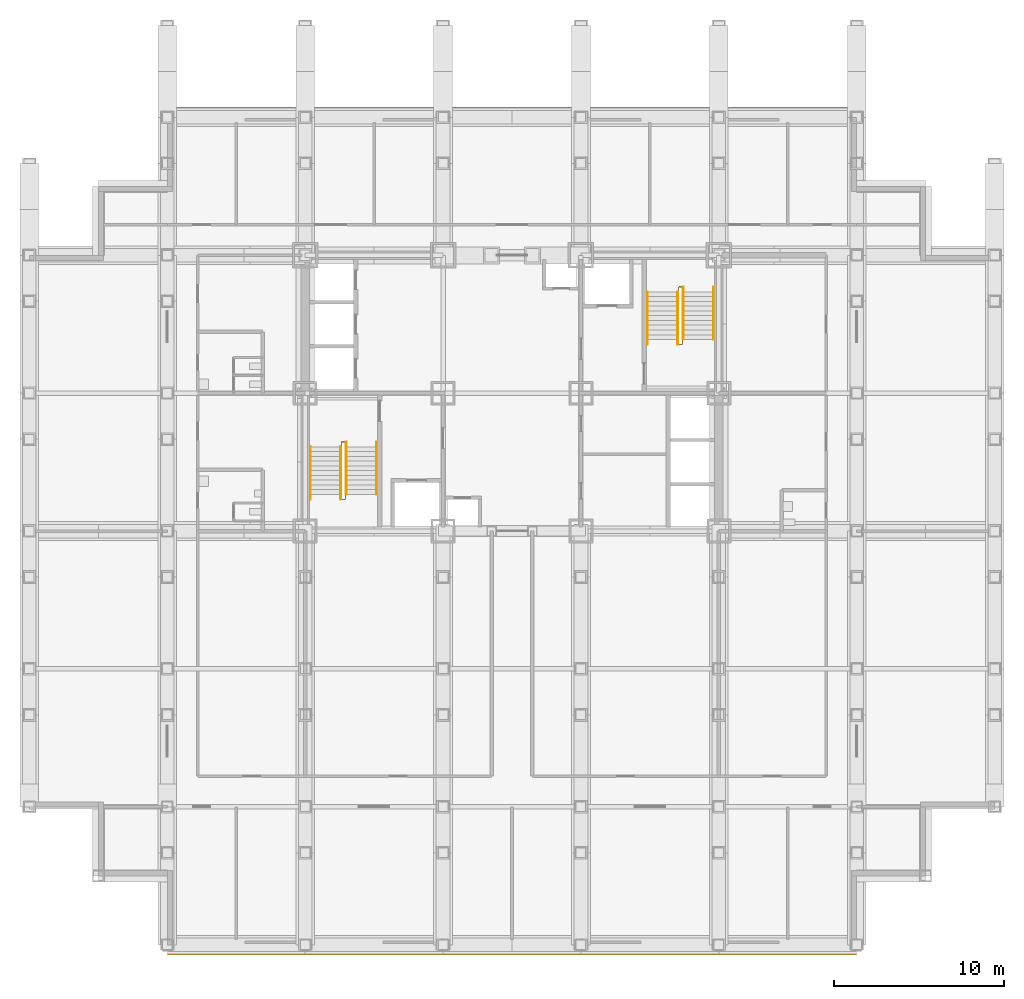
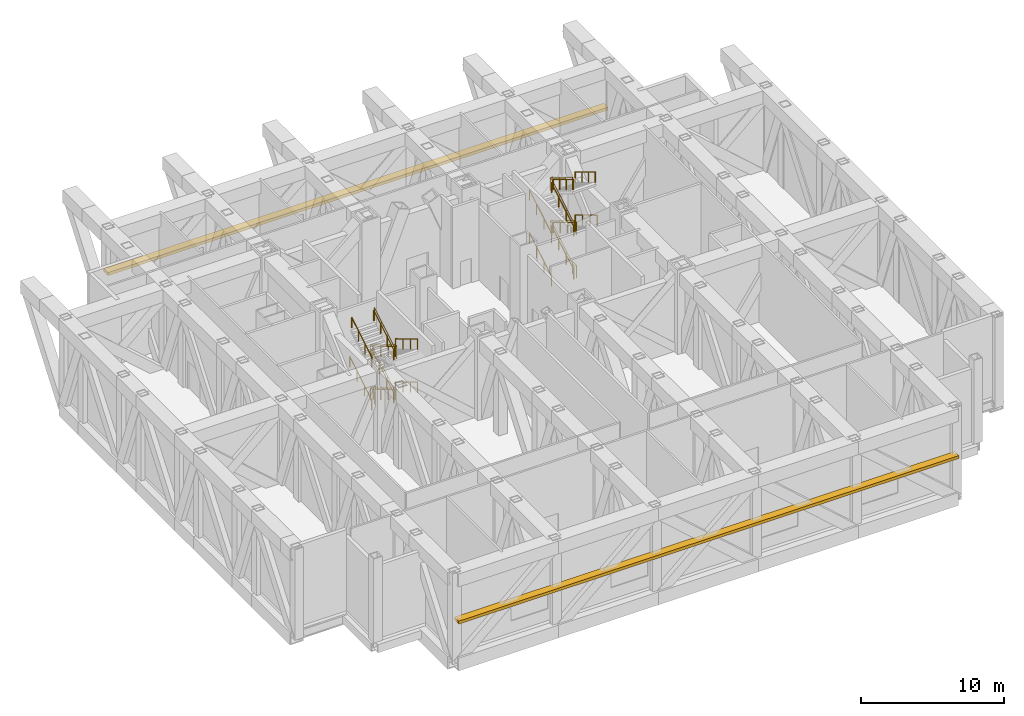
# One storey, part 12 of 13: 18 railings, 2 shading devices.
"""IFC4 building model written with IfcOpenShell, lengths in metres."""

from ifc_helpers import new_model, si_unit, direction, frame, origin, origin_2d, place, context, subcontext, project, spatial, rectangle, circle, extrude, material, type_object, element, save


model = new_model("IFC4")

# Units and contexts
model_context = context("Model", 3, precision=1e-05, world=origin(), true_north=direction((0.0, 1.0)))
body_context = subcontext(model_context, "Body", "Model", "MODEL_VIEW")
ifc_project = project(units=[si_unit("LENGTHUNIT", "METRE"), si_unit("AREAUNIT", "SQUARE_METRE"), si_unit("VOLUMEUNIT", "CUBIC_METRE"), si_unit("PLANEANGLEUNIT", "RADIAN"), si_unit("MASSUNIT", "GRAM", prefix="KILO")], contexts=[model_context])

# Site, building, storey
site_placement = place(None, origin())
site = spatial("IfcSite", under=ifc_project, at=site_placement, CompositionType="ELEMENT")
building_placement = place(site_placement, origin())
building = spatial("IfcBuilding", under=site, at=building_placement, Name="Kopane Lantern Tower", CompositionType="ELEMENT")
storey_placement = place(building_placement, frame((0.0, 0.0, 90.800048828125)))
storey = spatial("IfcBuildingStorey", under=building, at=storey_placement, Name="L23", CompositionType="ELEMENT", Elevation=90.800048828125)

# Railings
ifc_material_1 = material(Name="Steel", Category="steel")
railing_type_1 = type_object("IfcRailingType", Name="STAIR GUARD 1100", PredefinedType="GUARDRAIL", material=ifc_material_1)
railing_1_placement = place(storey_placement, frame((18.35009765625, 28.969970703125, 0.0)))
element("IfcRailing", 1, at=railing_1_placement, inside=storey, type_object=railing_type_1, Name="ST1 well guard L23", PredefinedType="GUARDRAIL", context=body_context, shape_type="SweptSolid", body=[
    extrude(circle(Radius=0.02392578125, at=origin_2d()), frame((0.0, 0.0, 1.076171875), z_axis=(0.0, 1.0, 0.0), x_axis=(-1.0, 0.0, 0.0)), (0.0, 0.0, 1.0), 0.56005859375),
    extrude(circle(Radius=0.02392578125, at=origin_2d()), frame((0.0, 0.56005859375, 1.076171875), z_axis=(1.0, 0.0, 0.0), x_axis=(0.0, 1.0, 0.0)), (0.0, 0.0, 1.0), 0.199951171875),
    extrude(circle(Radius=0.02392578125, at=origin_2d()), frame((0.199951171875, 0.56005859375, 1.076171875), z_axis=(0.0, -0.858260302833, 0.513214626234), x_axis=(1.0, 0.0, 0.0)), (0.0, 0.0, 1.0), 3.5888671875),
    extrude(circle(Radius=0.02392578125, at=origin_2d()), frame((0.199951171875, -2.52001953125, 2.91796875), z_axis=(0.0, -1.0, 0.0), x_axis=(1.0, 0.0, 0.0)), (0.0, 0.0, 1.0), 0.280029296875),
    extrude(circle(Radius=0.02392578125, at=origin_2d()), frame((0.199951171875, -2.800048828125, 2.91796875), z_axis=(-1.0, 0.0, 0.0), x_axis=(0.0, -1.0, 0.0)), (0.0, 0.0, 1.0), 0.199951171875),
    extrude(circle(Radius=0.02392578125, at=origin_2d()), frame((0.0, -2.800048828125, 2.91796875), z_axis=(0.0, 0.858260302833, 0.513214626234), x_axis=(-1.0, 0.0, 0.0)), (0.0, 0.0, 1.0), 3.5888671875),
    extrude(circle(Radius=0.02392578125, at=origin_2d()), frame((0.0, 0.280029296875, 4.759765625), z_axis=(0.0, 1.0, 0.0), x_axis=(-1.0, 0.0, 0.0)), (0.0, 0.0, 1.0), 0.280029296875),
    extrude(circle(Radius=0.02392578125, at=origin_2d()), frame((0.0, 0.56005859375, 4.759765625), z_axis=(1.0, 0.0, 0.0), x_axis=(0.0, 1.0, 0.0)), (0.0, 0.0, 1.0), 0.199951171875),
    extrude(circle(Radius=0.02392578125, at=origin_2d()), frame((0.199951171875, 0.56005859375, 4.759765625), z_axis=(0.0, -0.85823033734, 0.513264734879), x_axis=(1.0, 0.0, 0.0)), (0.0, 0.0, 1.0), 3.5888671875),
    extrude(circle(Radius=0.02392578125, at=origin_2d()), frame((0.199951171875, -2.52001953125, 6.6015625), z_axis=(0.0, -1.0, 0.0), x_axis=(1.0, 0.0, 0.0)), (0.0, 0.0, 1.0), 0.280029296875),
    extrude(circle(Radius=0.02392578125, at=origin_2d()), frame((0.199951171875, -2.800048828125, 6.6015625), z_axis=(-1.0, 0.0, 0.0), x_axis=(0.0, -1.0, 0.0)), (0.0, 0.0, 1.0), 0.199951171875),
    extrude(circle(Radius=0.02392578125, at=origin_2d()), frame((0.0, -2.800048828125, 6.6015625), z_axis=(0.0, 0.858264504049, 0.513207600381), x_axis=(-1.0, 0.0, 0.0)), (0.0, 0.0, 1.0), 3.262451171875),
    extrude(circle(Radius=0.02099609375, at=origin_2d()), origin(), (0.0, 0.0, 1.0), 1.052001953125),
    extrude(circle(Radius=0.02099609375, at=origin_2d()), frame((0.0, 0.56005859375, 0.0)), (0.0, 0.0, 1.0), 1.052001953125),
    extrude(circle(Radius=0.02099609375, at=origin_2d()), frame((0.199951171875, 0.56005859375, 0.0)), (0.0, 0.0, 1.0), 1.052001953125),
    extrude(circle(Radius=0.02099609375, at=origin_2d()), frame((0.199951171875, -0.466552734375, 0.614013671875)), (0.0, 0.0, 1.0), 1.052001953125),
    extrude(circle(Radius=0.02099609375, at=origin_2d()), frame((0.199951171875, -1.493408203125, 1.227783203125)), (0.0, 0.0, 1.0), 1.052001953125),
    extrude(circle(Radius=0.02099609375, at=origin_2d()), frame((0.199951171875, -2.52001953125, 1.841796875)), (0.0, 0.0, 1.0), 1.052001953125),
    extrude(circle(Radius=0.02099609375, at=origin_2d()), frame((0.199951171875, -2.800048828125, 1.841796875)), (0.0, 0.0, 1.0), 1.052001953125),
    extrude(circle(Radius=0.02099609375, at=origin_2d()), frame((0.0, -2.800048828125, 1.841796875)), (0.0, 0.0, 1.0), 1.052001953125),
    extrude(circle(Radius=0.02099609375, at=origin_2d()), frame((0.0, -1.7734375, 2.455810546875)), (0.0, 0.0, 1.0), 1.052001953125),
    extrude(circle(Radius=0.02099609375, at=origin_2d()), frame((0.0, -0.74658203125, 3.069580078125)), (0.0, 0.0, 1.0), 1.052001953125),
    extrude(circle(Radius=0.02099609375, at=origin_2d()), frame((0.0, 0.280029296875, 3.68359375)), (0.0, 0.0, 1.0), 1.052001953125),
    extrude(circle(Radius=0.02099609375, at=origin_2d()), frame((0.0, 0.56005859375, 3.68359375)), (0.0, 0.0, 1.0), 1.052001953125),
    extrude(circle(Radius=0.02099609375, at=origin_2d()), frame((0.199951171875, 0.56005859375, 3.68359375)), (0.0, 0.0, 1.0), 1.052001953125),
    extrude(circle(Radius=0.02099609375, at=origin_2d()), frame((0.199951171875, -0.466552734375, 4.297607421875)), (0.0, 0.0, 1.0), 1.052001953125),
    extrude(circle(Radius=0.02099609375, at=origin_2d()), frame((0.199951171875, -1.493408203125, 4.91162109375)), (0.0, 0.0, 1.0), 1.052001953125),
    extrude(circle(Radius=0.02099609375, at=origin_2d()), frame((0.199951171875, -2.52001953125, 5.525634765625)), (0.0, 0.0, 1.0), 1.052001953125),
    extrude(circle(Radius=0.02099609375, at=origin_2d()), frame((0.199951171875, -2.800048828125, 5.525634765625)), (0.0, 0.0, 1.0), 1.052001953125),
    extrude(circle(Radius=0.02099609375, at=origin_2d()), frame((0.0, -2.800048828125, 5.525634765625)), (0.0, 0.0, 1.0), 1.052001953125),
    extrude(circle(Radius=0.02099609375, at=origin_2d()), frame((0.0, -1.86669921875, 6.083740234375)), (0.0, 0.0, 1.0), 1.052001953125),
    extrude(circle(Radius=0.02099609375, at=origin_2d()), frame((0.0, -0.933349609375, 6.641845703125)), (0.0, 0.0, 1.0), 1.052001953125),
    extrude(circle(Radius=0.02099609375, at=origin_2d()), frame((0.0, 0.0, 7.199951171875)), (0.0, 0.0, 1.0), 1.052001953125),
])
railing_2_placement = place(storey_placement, frame((38.35009765625, 35.830078125, 0.0)))
element("IfcRailing", 2, at=railing_2_placement, inside=storey, type_object=railing_type_1, Name="ST2 well guard L23", PredefinedType="GUARDRAIL", context=body_context, shape_type="SweptSolid", body=[
    extrude(circle(Radius=0.02392578125, at=origin_2d()), frame((0.0, 0.0, 1.076171875), z_axis=(0.0, -1.0, 0.0), x_axis=(1.0, 0.0, 0.0)), (0.0, 0.0, 1.0), 0.56005859375),
    extrude(circle(Radius=0.02392578125, at=origin_2d()), frame((0.0, -0.56005859375, 1.076171875), z_axis=(-1.0, 0.0, 0.0), x_axis=(0.0, -1.0, 0.0)), (0.0, 0.0, 1.0), 0.2001953125),
    extrude(circle(Radius=0.02392578125, at=origin_2d()), frame((-0.2001953125, -0.56005859375, 1.076171875), z_axis=(0.0, 0.858260302833, 0.513214626234), x_axis=(-1.0, 0.0, 0.0)), (0.0, 0.0, 1.0), 3.5888671875),
    extrude(circle(Radius=0.02392578125, at=origin_2d()), frame((-0.2001953125, 2.52001953125, 2.91796875), z_axis=(0.0, 1.0, 0.0), x_axis=(-1.0, 0.0, 0.0)), (0.0, 0.0, 1.0), 0.27978515625),
    extrude(circle(Radius=0.02392578125, at=origin_2d()), frame((-0.2001953125, 2.7998046875, 2.91796875), z_axis=(1.0, 0.0, 0.0), x_axis=(0.0, 1.0, 0.0)), (0.0, 0.0, 1.0), 0.2001953125),
    extrude(circle(Radius=0.02392578125, at=origin_2d()), frame((0.0, 2.7998046875, 2.91796875), z_axis=(0.0, -0.858242383022, 0.513244592748), x_axis=(1.0, 0.0, 0.0)), (0.0, 0.0, 1.0), 3.588623046875),
    extrude(circle(Radius=0.02392578125, at=origin_2d()), frame((0.0, -0.280029296875, 4.759765625), z_axis=(0.0, -1.0, 0.0), x_axis=(1.0, 0.0, 0.0)), (0.0, 0.0, 1.0), 0.280029296875),
    extrude(circle(Radius=0.02392578125, at=origin_2d()), frame((0.0, -0.56005859375, 4.759765625), z_axis=(-1.0, 0.0, 0.0), x_axis=(0.0, -1.0, 0.0)), (0.0, 0.0, 1.0), 0.2001953125),
    extrude(circle(Radius=0.02392578125, at=origin_2d()), frame((-0.2001953125, -0.56005859375, 4.759765625), z_axis=(0.0, 0.85823033734, 0.513264734879), x_axis=(-1.0, 0.0, 0.0)), (0.0, 0.0, 1.0), 3.5888671875),
    extrude(circle(Radius=0.02392578125, at=origin_2d()), frame((-0.2001953125, 2.52001953125, 6.6015625), z_axis=(0.0, 1.0, 0.0), x_axis=(-1.0, 0.0, 0.0)), (0.0, 0.0, 1.0), 0.27978515625),
    extrude(circle(Radius=0.02392578125, at=origin_2d()), frame((-0.2001953125, 2.7998046875, 6.6015625), z_axis=(1.0, 0.0, 0.0), x_axis=(0.0, 1.0, 0.0)), (0.0, 0.0, 1.0), 0.2001953125),
    extrude(circle(Radius=0.02392578125, at=origin_2d()), frame((0.0, 2.7998046875, 6.6015625), z_axis=(0.0, -0.858244792371, 0.513240563837), x_axis=(1.0, 0.0, 0.0)), (0.0, 0.0, 1.0), 3.26220703125),
    extrude(circle(Radius=0.02099609375, at=origin_2d()), origin(), (0.0, 0.0, 1.0), 1.052001953125),
    extrude(circle(Radius=0.02099609375, at=origin_2d()), frame((0.0, -0.56005859375, 0.0)), (0.0, 0.0, 1.0), 1.052001953125),
    extrude(circle(Radius=0.02099609375, at=origin_2d()), frame((-0.2001953125, -0.56005859375, 0.0)), (0.0, 0.0, 1.0), 1.052001953125),
    extrude(circle(Radius=0.02099609375, at=origin_2d()), frame((-0.2001953125, 0.466552734375, 0.614013671875)), (0.0, 0.0, 1.0), 1.052001953125),
    extrude(circle(Radius=0.02099609375, at=origin_2d()), frame((-0.2001953125, 1.493408203125, 1.227783203125)), (0.0, 0.0, 1.0), 1.052001953125),
    extrude(circle(Radius=0.02099609375, at=origin_2d()), frame((-0.2001953125, 2.52001953125, 1.841796875)), (0.0, 0.0, 1.0), 1.052001953125),
    extrude(circle(Radius=0.02099609375, at=origin_2d()), frame((-0.2001953125, 2.7998046875, 1.841796875)), (0.0, 0.0, 1.0), 1.052001953125),
    extrude(circle(Radius=0.02099609375, at=origin_2d()), frame((0.0, 2.7998046875, 1.841796875)), (0.0, 0.0, 1.0), 1.052001953125),
    extrude(circle(Radius=0.02099609375, at=origin_2d()), frame((0.0, 1.773193359375, 2.455810546875)), (0.0, 0.0, 1.0), 1.052001953125),
    extrude(circle(Radius=0.02099609375, at=origin_2d()), frame((0.0, 0.74658203125, 3.069580078125)), (0.0, 0.0, 1.0), 1.052001953125),
    extrude(circle(Radius=0.02099609375, at=origin_2d()), frame((0.0, -0.280029296875, 3.68359375)), (0.0, 0.0, 1.0), 1.052001953125),
    extrude(circle(Radius=0.02099609375, at=origin_2d()), frame((0.0, -0.56005859375, 3.68359375)), (0.0, 0.0, 1.0), 1.052001953125),
    extrude(circle(Radius=0.02099609375, at=origin_2d()), frame((-0.2001953125, -0.56005859375, 3.68359375)), (0.0, 0.0, 1.0), 1.052001953125),
    extrude(circle(Radius=0.02099609375, at=origin_2d()), frame((-0.2001953125, 0.466552734375, 4.297607421875)), (0.0, 0.0, 1.0), 1.052001953125),
    extrude(circle(Radius=0.02099609375, at=origin_2d()), frame((-0.2001953125, 1.493408203125, 4.91162109375)), (0.0, 0.0, 1.0), 1.052001953125),
    extrude(circle(Radius=0.02099609375, at=origin_2d()), frame((-0.2001953125, 2.52001953125, 5.525634765625)), (0.0, 0.0, 1.0), 1.052001953125),
    extrude(circle(Radius=0.02099609375, at=origin_2d()), frame((-0.2001953125, 2.7998046875, 5.525634765625)), (0.0, 0.0, 1.0), 1.052001953125),
    extrude(circle(Radius=0.02099609375, at=origin_2d()), frame((0.0, 2.7998046875, 5.525634765625)), (0.0, 0.0, 1.0), 1.052001953125),
    extrude(circle(Radius=0.02099609375, at=origin_2d()), frame((0.0, 1.866455078125, 6.083740234375)), (0.0, 0.0, 1.0), 1.052001953125),
    extrude(circle(Radius=0.02099609375, at=origin_2d()), frame((0.0, 0.933349609375, 6.641845703125)), (0.0, 0.0, 1.0), 1.052001953125),
    extrude(circle(Radius=0.02099609375, at=origin_2d()), frame((0.0, 0.0, 7.199951171875)), (0.0, 0.0, 1.0), 1.052001953125),
])
ifc_material_2 = material(Name="Steel", Category="steel")
railing_type_2 = type_object("IfcRailingType", Name="STAIR HANDRAIL 900", PredefinedType="HANDRAIL", material=ifc_material_2)
for number, where, name in (
    (3, (20.389892578125, 29.530029296875, 0.0), "ST1 handrail L23 flight 1"),
    (4, (18.610107421875, 29.530029296875, 0.0), "ST1 handrail L23 flight 1"),
):
    element("IfcRailing", number, at=place(storey_placement, frame(where)), inside=storey, type_object=railing_type_2, Name=name, PredefinedType="HANDRAIL", context=body_context, shape_type="SweptSolid", body=[
        extrude(circle(Radius=0.02392578125, at=origin_2d()), frame((0.0, 0.0, 0.8759765625), z_axis=(0.0, -0.858260302833, 0.513214626234), x_axis=(1.0, 0.0, 0.0)), (0.0, 0.0, 1.0), 3.5888671875),
        extrude(circle(Radius=0.02099609375, at=origin_2d()), origin(), (0.0, 0.0, 1.0), 0.851806640625),
        extrude(circle(Radius=0.02099609375, at=origin_2d()), frame((0.0, -1.026611328125, 0.614013671875)), (0.0, 0.0, 1.0), 0.851806640625),
        extrude(circle(Radius=0.02099609375, at=origin_2d()), frame((0.0, -2.053466796875, 1.227783203125)), (0.0, 0.0, 1.0), 0.851806640625),
        extrude(circle(Radius=0.02099609375, at=origin_2d()), frame((0.0, -3.080078125, 1.841796875)), (0.0, 0.0, 1.0), 0.851806640625),
    ])
for number, where, name in (
    (5, (16.510009765625, 26.169921875, 1.841796875), "ST1 handrail L23 flight 2"),
    (6, (18.2900390625, 26.169921875, 1.841796875), "ST1 handrail L23 flight 2"),
):
    element("IfcRailing", number, at=place(storey_placement, frame(where)), inside=storey, type_object=railing_type_2, Name=name, PredefinedType="HANDRAIL", context=body_context, shape_type="SweptSolid", body=[
        extrude(circle(Radius=0.02392578125, at=origin_2d()), frame((0.0, 0.0, 0.8759765625), z_axis=(0.0, 0.858260302833, 0.513214626234), x_axis=(-1.0, 0.0, 0.0)), (0.0, 0.0, 1.0), 3.5888671875),
        extrude(circle(Radius=0.02099609375, at=origin_2d()), origin(), (0.0, 0.0, 1.0), 0.851806640625),
        extrude(circle(Radius=0.02099609375, at=origin_2d()), frame((0.0, 1.026611328125, 0.614013671875)), (0.0, 0.0, 1.0), 0.851806640625),
        extrude(circle(Radius=0.02099609375, at=origin_2d()), frame((0.0, 2.053466796875, 1.227783203125)), (0.0, 0.0, 1.0), 0.851806640625),
        extrude(circle(Radius=0.02099609375, at=origin_2d()), frame((0.0, 3.080078125, 1.841796875)), (0.0, 0.0, 1.0), 0.851806640625),
    ])
for number, where, name in (
    (7, (20.389892578125, 29.530029296875, 3.68359375), "ST1 handrail L23 flight 3"),
    (8, (18.610107421875, 29.530029296875, 3.68359375), "ST1 handrail L23 flight 3"),
):
    element("IfcRailing", number, at=place(storey_placement, frame(where)), inside=storey, type_object=railing_type_2, Name=name, PredefinedType="HANDRAIL", context=body_context, shape_type="SweptSolid", body=[
        extrude(circle(Radius=0.02392578125, at=origin_2d()), frame((0.0, 0.0, 0.8759765625), z_axis=(0.0, -0.85823033734, 0.513264734879), x_axis=(1.0, 0.0, 0.0)), (0.0, 0.0, 1.0), 3.5888671875),
        extrude(circle(Radius=0.02099609375, at=origin_2d()), origin(), (0.0, 0.0, 1.0), 0.851806640625),
        extrude(circle(Radius=0.02099609375, at=origin_2d()), frame((0.0, -1.026611328125, 0.614013671875)), (0.0, 0.0, 1.0), 0.851806640625),
        extrude(circle(Radius=0.02099609375, at=origin_2d()), frame((0.0, -2.053466796875, 1.22802734375)), (0.0, 0.0, 1.0), 0.851806640625),
        extrude(circle(Radius=0.02099609375, at=origin_2d()), frame((0.0, -3.080078125, 1.842041015625)), (0.0, 0.0, 1.0), 0.851806640625),
    ])
for number, where, name in (
    (9, (16.510009765625, 26.169921875, 5.525634765625), "ST1 handrail L23 flight 4"),
    (10, (18.2900390625, 26.169921875, 5.525634765625), "ST1 handrail L23 flight 4"),
):
    element("IfcRailing", number, at=place(storey_placement, frame(where)), inside=storey, type_object=railing_type_2, Name=name, PredefinedType="HANDRAIL", context=body_context, shape_type="SweptSolid", body=[
        extrude(circle(Radius=0.02392578125, at=origin_2d()), frame((0.0, 0.0, 0.8759765625), z_axis=(0.0, 0.858264504049, 0.513207600381), x_axis=(-1.0, 0.0, 0.0)), (0.0, 0.0, 1.0), 3.262451171875),
        extrude(circle(Radius=0.02099609375, at=origin_2d()), origin(), (0.0, 0.0, 1.0), 0.851806640625),
        extrude(circle(Radius=0.02099609375, at=origin_2d()), frame((0.0, 0.933349609375, 0.55810546875)), (0.0, 0.0, 1.0), 0.851806640625),
        extrude(circle(Radius=0.02099609375, at=origin_2d()), frame((0.0, 1.86669921875, 1.1162109375)), (0.0, 0.0, 1.0), 0.851806640625),
        extrude(circle(Radius=0.02099609375, at=origin_2d()), frame((0.0, 2.800048828125, 1.67431640625)), (0.0, 0.0, 1.0), 0.851806640625),
    ])
for number, where, name in (
    (11, (36.31005859375, 35.27001953125, 0.0), "ST2 handrail L23 flight 1"),
    (12, (38.090087890625, 35.27001953125, 0.0), "ST2 handrail L23 flight 1"),
):
    element("IfcRailing", number, at=place(storey_placement, frame(where)), inside=storey, type_object=railing_type_2, Name=name, PredefinedType="HANDRAIL", context=body_context, shape_type="SweptSolid", body=[
        extrude(circle(Radius=0.02392578125, at=origin_2d()), frame((0.0, 0.0, 0.8759765625), z_axis=(0.0, 0.858260302833, 0.513214626234), x_axis=(-1.0, 0.0, 0.0)), (0.0, 0.0, 1.0), 3.5888671875),
        extrude(circle(Radius=0.02099609375, at=origin_2d()), origin(), (0.0, 0.0, 1.0), 0.851806640625),
        extrude(circle(Radius=0.02099609375, at=origin_2d()), frame((0.0, 1.026611328125, 0.614013671875)), (0.0, 0.0, 1.0), 0.851806640625),
        extrude(circle(Radius=0.02099609375, at=origin_2d()), frame((0.0, 2.053466796875, 1.227783203125)), (0.0, 0.0, 1.0), 0.851806640625),
        extrude(circle(Radius=0.02099609375, at=origin_2d()), frame((0.0, 3.080078125, 1.841796875)), (0.0, 0.0, 1.0), 0.851806640625),
    ])
for number, where, name in (
    (13, (40.18994140625, 38.6298828125, 1.841796875), "ST2 handrail L23 flight 2"),
    (14, (38.409912109375, 38.6298828125, 1.841796875), "ST2 handrail L23 flight 2"),
):
    element("IfcRailing", number, at=place(storey_placement, frame(where)), inside=storey, type_object=railing_type_2, Name=name, PredefinedType="HANDRAIL", context=body_context, shape_type="SweptSolid", body=[
        extrude(circle(Radius=0.02392578125, at=origin_2d()), frame((0.0, 0.0, 0.8759765625), z_axis=(0.0, -0.858242383022, 0.513244592748), x_axis=(1.0, 0.0, 0.0)), (0.0, 0.0, 1.0), 3.588623046875),
        extrude(circle(Radius=0.02099609375, at=origin_2d()), origin(), (0.0, 0.0, 1.0), 0.851806640625),
        extrude(circle(Radius=0.02099609375, at=origin_2d()), frame((0.0, -1.026611328125, 0.614013671875)), (0.0, 0.0, 1.0), 0.851806640625),
        extrude(circle(Radius=0.02099609375, at=origin_2d()), frame((0.0, -2.05322265625, 1.227783203125)), (0.0, 0.0, 1.0), 0.851806640625),
        extrude(circle(Radius=0.02099609375, at=origin_2d()), frame((0.0, -3.079833984375, 1.841796875)), (0.0, 0.0, 1.0), 0.851806640625),
    ])
for number, where, name in (
    (15, (36.31005859375, 35.27001953125, 3.68359375), "ST2 handrail L23 flight 3"),
    (16, (38.090087890625, 35.27001953125, 3.68359375), "ST2 handrail L23 flight 3"),
):
    element("IfcRailing", number, at=place(storey_placement, frame(where)), inside=storey, type_object=railing_type_2, Name=name, PredefinedType="HANDRAIL", context=body_context, shape_type="SweptSolid", body=[
        extrude(circle(Radius=0.02392578125, at=origin_2d()), frame((0.0, 0.0, 0.8759765625), z_axis=(0.0, 0.85823033734, 0.513264734879), x_axis=(-1.0, 0.0, 0.0)), (0.0, 0.0, 1.0), 3.5888671875),
        extrude(circle(Radius=0.02099609375, at=origin_2d()), origin(), (0.0, 0.0, 1.0), 0.851806640625),
        extrude(circle(Radius=0.02099609375, at=origin_2d()), frame((0.0, 1.026611328125, 0.614013671875)), (0.0, 0.0, 1.0), 0.851806640625),
        extrude(circle(Radius=0.02099609375, at=origin_2d()), frame((0.0, 2.053466796875, 1.22802734375)), (0.0, 0.0, 1.0), 0.851806640625),
        extrude(circle(Radius=0.02099609375, at=origin_2d()), frame((0.0, 3.080078125, 1.842041015625)), (0.0, 0.0, 1.0), 0.851806640625),
    ])
for number, where, name in (
    (17, (40.18994140625, 38.6298828125, 5.525634765625), "ST2 handrail L23 flight 4"),
    (18, (38.409912109375, 38.6298828125, 5.525634765625), "ST2 handrail L23 flight 4"),
):
    element("IfcRailing", number, at=place(storey_placement, frame(where)), inside=storey, type_object=railing_type_2, Name=name, PredefinedType="HANDRAIL", context=body_context, shape_type="SweptSolid", body=[
        extrude(circle(Radius=0.02392578125, at=origin_2d()), frame((0.0, 0.0, 0.8759765625), z_axis=(0.0, -0.858244792371, 0.513240563837), x_axis=(1.0, 0.0, 0.0)), (0.0, 0.0, 1.0), 3.26220703125),
        extrude(circle(Radius=0.02099609375, at=origin_2d()), origin(), (0.0, 0.0, 1.0), 0.851806640625),
        extrude(circle(Radius=0.02099609375, at=origin_2d()), frame((0.0, -0.933349609375, 0.55810546875)), (0.0, 0.0, 1.0), 0.851806640625),
        extrude(circle(Radius=0.02099609375, at=origin_2d()), frame((0.0, -1.866455078125, 1.1162109375)), (0.0, 0.0, 1.0), 0.851806640625),
        extrude(circle(Radius=0.02099609375, at=origin_2d()), frame((0.0, -2.7998046875, 1.67431640625)), (0.0, 0.0, 1.0), 0.851806640625),
    ])

# Shading devices
ifc_material_3 = material(Name="Terracotta rainscreen on light steel framing", Category="masonry")
shading_device_type = type_object("IfcShadingDeviceType", Name="SUNSHADE BAND SB1 600 TERRACOTTA", PredefinedType="USERDEFINED", material=ifc_material_3)
for number, where, z_axis, x_axis, name in (
    (19, (28.35009765625, -0.300048828125, 2.699951171875), (0.0, 0.0, 1.0), (1.0, 0.0, 0.0), "Sunshade band S L23"),
    (20, (28.35009765625, 48.89990234375, 2.699951171875), (0.0, 0.0, 1.0), (-1.0, 0.0, 0.0), "Sunshade band N L23"),
):
    element("IfcShadingDevice", number, at=place(storey_placement, frame(where, z_axis=z_axis, x_axis=x_axis)), inside=storey, type_object=shading_device_type, Name=name, ObjectType="SUNSHADE BAND", PredefinedType="USERDEFINED", context=body_context, shape_type="SweptSolid", body=[
        extrude(rectangle(XDim=40.5, YDim=0.60009765625, at=origin_2d()), origin(), (0.0, 0.0, 1.0), 0.25),
    ])

save(model, "model.ifc")
